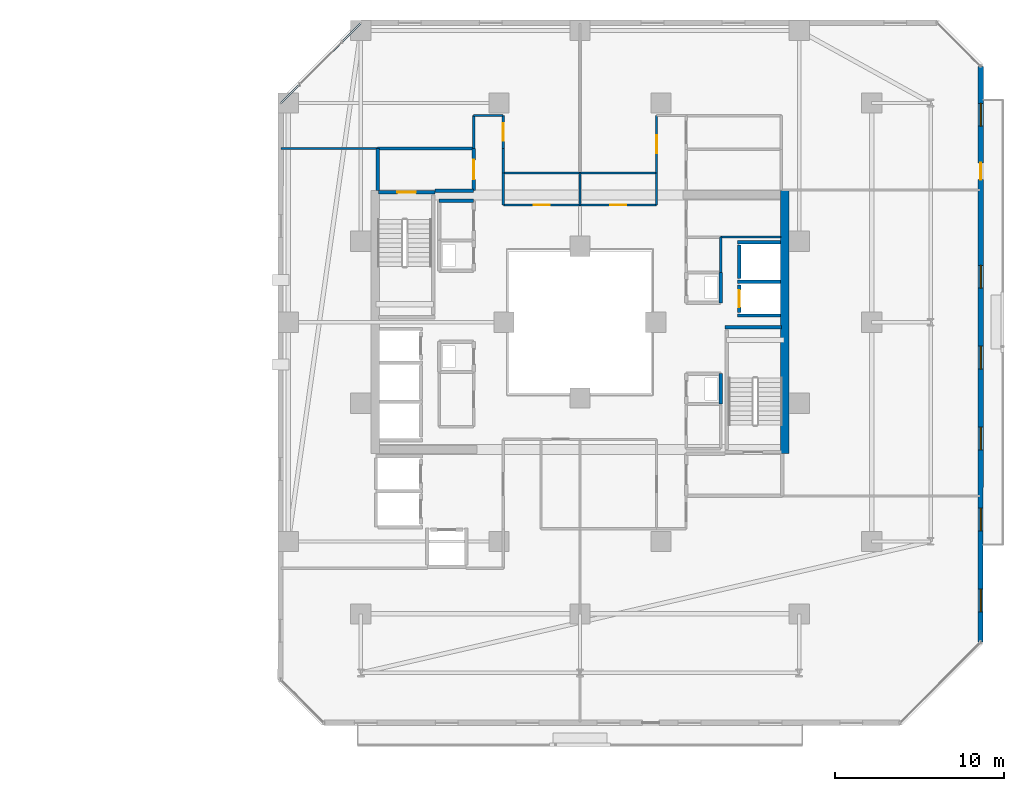
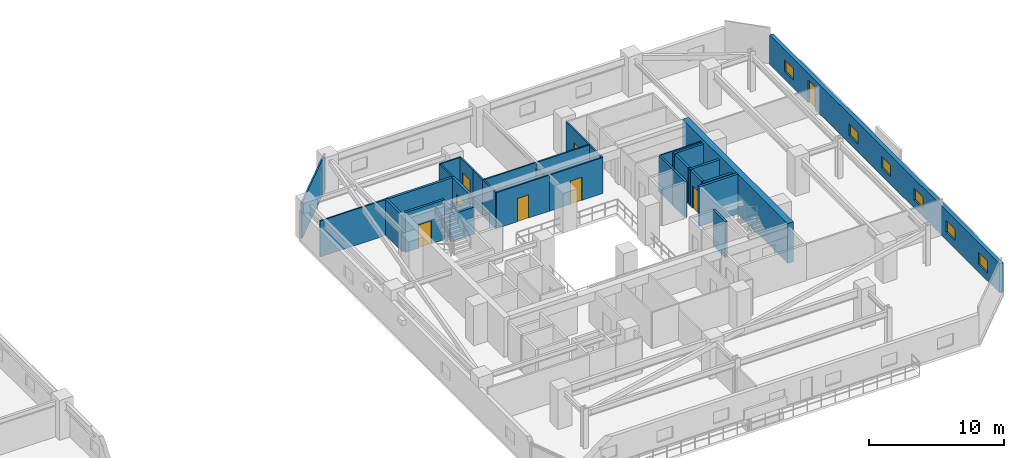
# One storey, part 24 of 34: 32 walls, 8 doors, 6 windows, 14 openings.
"""IFC4 building model written with IfcOpenShell, lengths in metres."""

import ifcopenshell
import ifcopenshell.guid

model = None  # the IFC model being written
_history = None  # IfcOwnerHistory: only IFC2X3 demands one
_inside = {}  # id of a spatial element -> (the spatial element, [elements in it])
_under = {}  # id of a project, library or spatial element -> (it, [spatial elements below it])
_declared = {}  # id of a project -> (the project, [libraries it declares])
_typed = {}  # id of a type object -> (the type object, [elements of that type])
_made_of = {}  # id of a material, layer set ... -> (it, [elements and type objects made of it])


def new_model(schema):
    """Start an empty IFC model of exactly this schema.

    Asked for "IFC4X3", IfcOpenShell would pick the latest addendum, in which some entities
    have other attributes; the version numbers below select the first issue.
    IFC2X3 requires an IfcOwnerHistory on every rooted entity: one is made here for all.
    """
    global model, _history
    if schema == "IFC4X3":
        model = ifcopenshell.file(schema_version=(4, 3, 0, 0))
    else:
        model = ifcopenshell.file(schema=schema)
    _inside.clear()
    _under.clear()
    _declared.clear()
    _typed.clear()
    _made_of.clear()
    _history = None
    if model.schema == "IFC2X3":
        org = make("IfcOrganization", Name="unknown")
        user = make(
            "IfcPersonAndOrganization",
            ThePerson=make("IfcPerson", FamilyName="unknown"),
            TheOrganization=org,
        )
        app = make(
            "IfcApplication",
            ApplicationDeveloper=org,
            Version="unknown",
            ApplicationFullName="unknown",
            ApplicationIdentifier="unknown",
        )
        _history = make(
            "IfcOwnerHistory",
            OwningUser=user,
            OwningApplication=app,
            ChangeAction="ADDED",
            CreationDate=0,
        )
    return model


def make(cls, **values):
    """One entity of the class cls with the attributes given. An attribute that is None is left unset."""
    return model.create_entity(
        cls, **{name: value for name, value in values.items() if value is not None}
    )


def rooted(cls, **values):
    """An entity with a GlobalId (a new one), such as an element, a storey or a relation."""
    return make(cls, GlobalId=ifcopenshell.guid.new(), OwnerHistory=_history, **values)


def si_unit(unit_type, name, prefix=None):
    """IfcSIUnit, for example si_unit("LENGTHUNIT", "METRE", prefix="MILLI")."""
    return make("IfcSIUnit", UnitType=unit_type, Prefix=prefix, Name=name)


def assignment(units):
    """IfcUnitAssignment: the units of a project."""
    return None if units is None else make("IfcUnitAssignment", Units=units)


def point(xyz):
    """IfcCartesianPoint."""
    return None if xyz is None else make("IfcCartesianPoint", Coordinates=xyz)


def direction(xyz):
    """IfcDirection."""
    return None if xyz is None else make("IfcDirection", DirectionRatios=xyz)


def frame(location, z_axis=None, x_axis=None):
    """IfcAxis2Placement3D, a coordinate frame: its origin and axes. An axis left out is left unset."""
    return make(
        "IfcAxis2Placement3D",
        Location=point(location),
        Axis=direction(z_axis),
        RefDirection=direction(x_axis),
    )


def frame_2d(location, x_axis=None):
    """IfcAxis2Placement2D, a coordinate frame in the plane: its origin and x axis."""
    return make(
        "IfcAxis2Placement2D", Location=point(location), RefDirection=direction(x_axis)
    )


def origin():
    """The frame at (0, 0, 0) with its axes left unset."""
    return frame((0.0, 0.0, 0.0))


def place(relative_to, where):
    """IfcLocalPlacement: puts the frame where relative to a parent placement (None: the world)."""
    return make(
        "IfcLocalPlacement", PlacementRelTo=relative_to, RelativePlacement=where
    )


def context(
    kind, dimensions, precision=None, world=None, true_north=None, identifier=None
):
    """IfcGeometricRepresentationContext, for example the 3D "Model" context."""
    return make(
        "IfcGeometricRepresentationContext",
        ContextIdentifier=identifier,
        ContextType=kind,
        CoordinateSpaceDimension=dimensions,
        Precision=precision,
        WorldCoordinateSystem=world,
        TrueNorth=true_north,
    )


def subcontext(parent, identifier, kind, view, scale=None):
    """IfcGeometricRepresentationSubContext, for example "Body" below "Model"."""
    return make(
        "IfcGeometricRepresentationSubContext",
        ContextIdentifier=identifier,
        ContextType=kind,
        ParentContext=parent,
        TargetScale=scale,
        TargetView=view,
    )


def project(units=None, contexts=None):
    """IfcProject with its units and contexts."""
    return rooted(
        "IfcProject",
        Name="project",
        RepresentationContexts=contexts,
        UnitsInContext=assignment(units),
    )


def spatial(cls, under=None, at=None, **own):
    """A site, building, storey or space (cls), placed at a placement, below another one or the project."""
    s = rooted(cls, ObjectPlacement=at, **own)
    if under is not None:
        _under.setdefault(under.id(), (under, []))[1].append(s)
    return s


def profile(cls, at=None, kind="AREA", **sizes):
    """A parametric profile (cls). Its sizes go by their IFC names, for example OverallWidth=200.0."""
    return make(cls, ProfileType=kind, Position=at, **sizes)


def rectangle(**sizes):
    """IfcRectangleProfileDef."""
    return profile("IfcRectangleProfileDef", **sizes)


def extrude(swept, where, along, depth):
    """IfcExtrudedAreaSolid: the profile swept, set in the frame where, extruded along a direction by depth."""
    return make(
        "IfcExtrudedAreaSolid",
        SweptArea=swept,
        Position=where,
        ExtrudedDirection=direction(along),
        Depth=depth,
    )


def shape(context_of_items, identifier, shape_type, items):
    """IfcShapeRepresentation: the items that make up one representation, for example the "Body"."""
    return make(
        "IfcShapeRepresentation",
        ContextOfItems=context_of_items,
        RepresentationIdentifier=identifier,
        RepresentationType=shape_type,
        Items=items,
    )


def material(Name=None, Category=None):
    """IfcMaterial."""
    return make("IfcMaterial", Name=Name, Category=Category)


def layer(
    of_material, thickness, ventilated=None, Name=None, Category=None, Priority=None
):
    """IfcMaterialLayer: one layer of a wall or slab, of a material (None: an air gap)."""
    return make(
        "IfcMaterialLayer",
        Material=of_material,
        LayerThickness=thickness,
        IsVentilated=ventilated,
        Name=Name,
        Category=Category,
        Priority=Priority,
    )


def layer_set(layers, Name=None):
    """IfcMaterialLayerSet."""
    return make("IfcMaterialLayerSet", MaterialLayers=layers, LayerSetName=Name)


def made_of(thing, what):
    """Note that an element or type object is made of a material, layer set ...; save() writes the relation."""
    if what is not None:
        _made_of.setdefault(what.id(), (what, []))[1].append(thing)
    return thing


def type_object(cls, material=None, **own):
    """A type object (cls), such as IfcWallType, which elements share."""
    return made_of(rooted(cls, **own), material)


def element(
    cls,
    number,
    at=None,
    inside=None,
    cuts=None,
    type_object=None,
    material=None,
    context=None,
    identifier="Body",
    shape_type=None,
    held_by="IfcProductDefinitionShape",
    body=None,
    shapes=None,
    **own,
):
    """One element of the class cls, such as IfcWall. Its Tag is "e" and its number.

    at: its placement. inside: the storey or other place that contains it. cuts: it is an
    opening in that element (IfcRelVoidsElement). A single representation is given by context,
    identifier, shape_type and body (its items); several are given by shapes. held_by: the class
    of the entity that holds the representations. save() writes the other relations.
    """
    e = rooted(cls, Tag="e%d" % number, ObjectPlacement=at, **own)
    if body is not None:
        shapes = [shape(context, identifier, shape_type, body)]
    if shapes is not None:
        e.Representation = make(held_by, Representations=shapes)
    if inside is not None:
        _inside.setdefault(inside.id(), (inside, []))[1].append(e)
    if cuts is not None:
        rooted(
            "IfcRelVoidsElement", RelatingBuildingElement=cuts, RelatedOpeningElement=e
        )
    if type_object is not None:
        _typed.setdefault(type_object.id(), (type_object, []))[1].append(e)
    return made_of(e, material)


def fill(opening, filler):
    """IfcRelFillsElement: the door or window that sits in an opening."""
    return rooted(
        "IfcRelFillsElement",
        RelatingOpeningElement=opening,
        RelatedBuildingElement=filler,
    )


def aggregate(whole, parts):
    """IfcRelAggregates: a whole, such as a stair, and the parts it consists of."""
    return rooted("IfcRelAggregates", RelatingObject=whole, RelatedObjects=parts)


def save(model, path):
    """Write the relations noted so far, then the file.

    IfcRelAggregates (storeys below a building ...), IfcRelContainedInSpatialStructure (elements
    in a storey), IfcRelDefinesByType, IfcRelAssociatesMaterial and IfcRelDeclares: one each for
    every whole, place, type object, material and project.
    """
    for whole, parts in _under.values():
        aggregate(whole, parts)
    for where, things in _inside.values():
        rooted(
            "IfcRelContainedInSpatialStructure",
            RelatedElements=things,
            RelatingStructure=where,
        )
    for kind, things in _typed.values():
        rooted("IfcRelDefinesByType", RelatedObjects=things, RelatingType=kind)
    for what, things in _made_of.values():
        rooted("IfcRelAssociatesMaterial", RelatedObjects=things, RelatingMaterial=what)
    for by, libraries in _declared.values():
        rooted("IfcRelDeclares", RelatingContext=by, RelatedDefinitions=libraries)
    model.write(path)


model = new_model("IFC4")

# Units and contexts
model_context = context("Model", 3, precision=1e-05, world=origin(), true_north=direction((0.0, 1.0)))
body_context = subcontext(model_context, "Body", "Model", "MODEL_VIEW")
ifc_project = project(units=[si_unit("LENGTHUNIT", "METRE"), si_unit("AREAUNIT", "SQUARE_METRE"), si_unit("VOLUMEUNIT", "CUBIC_METRE"), si_unit("PLANEANGLEUNIT", "RADIAN"), si_unit("MASSUNIT", "GRAM", prefix="KILO")], contexts=[model_context])

# Site, building, storey
site_placement = place(None, origin())
site = spatial("IfcSite", under=ifc_project, at=site_placement, CompositionType="ELEMENT")
building_placement = place(site_placement, origin())
building = spatial("IfcBuilding", under=site, at=building_placement, Name="Thornwick Lancets Civic Towers", CompositionType="ELEMENT")
storey_placement = place(building_placement, frame((0.0, 0.0, 137.699951171875)))
storey = spatial("IfcBuildingStorey", under=building, at=storey_placement, Name="L36", CompositionType="ELEMENT", Elevation=137.699951171875)

# Wall, opening, door
ifc_material_1 = material(Name="Concrete blockwork C40/50", Category="masonry")
ifc_layer_1 = layer(ifc_material_1, 0.199951171875, Name="Concrete blockwork C40/50")
ifc_layer_set_1 = layer_set([ifc_layer_1], Name="Concrete blockwork C40/50")
wall_type_1 = type_object("IfcWallType", Name="WALL_COMP_200", PredefinedType="STANDARD", material=ifc_layer_set_1)
wall_1_placement = place(storey_placement, frame((97.949951171875, 29.219970703125, 0.0), z_axis=(0.0, 0.0, 1.0), x_axis=(0.0, -1.0, 0.0)))
wall_1 = element("IfcWall", 1, at=wall_1_placement, inside=storey, type_object=wall_type_1, Name="L36 Hoistway Front Wall FL-B1", PredefinedType="STANDARD", context=body_context, shape_type="SweptSolid", body=[
    extrude(rectangle(XDim=1.639892578125, YDim=0.199951171875, at=frame_2d((0.81982421875, 0.0))), origin(), (0.0, 0.0, 1.0), 3.260009765625),
])
opening_1_placement = place(wall_1_placement, frame((0.31005859375, 0.0, 0.0)))
opening_1 = element("IfcOpeningElement", 2, at=opening_1_placement, cuts=wall_1, Name="Opening LD-FL-B1", PredefinedType="OPENING", context=body_context, shape_type="SweptSolid", body=[
    extrude(rectangle(XDim=1.02001953125, YDim=2.06005859375, at=frame_2d((0.510009765625, 1.030029296875))), frame((0.0, 0.10986328125, 0.0), z_axis=(0.0, -1.0, 0.0), x_axis=(1.0, 0.0, 0.0)), (0.0, 0.0, 1.0), 0.219970703125),
])
ifc_material_2 = material(Name="Brushed bronze stainless steel", Category="steel")
door_type_1 = type_object("IfcDoorType", Name="DOOR_LIFT_SLIDE", OperationType="SLIDING_TO_LEFT", PredefinedType="DOOR", material=ifc_material_2)
door_1_placement = place(opening_1_placement, origin())
door_1 = element("IfcDoor", 3, at=door_1_placement, inside=storey, type_object=door_type_1, Name="L36 Sliding Lift Landing Door LD-FL-B1", OperationType="SLIDING_TO_LEFT", OverallHeight=2.06005859375, OverallWidth=1.02001953125, PredefinedType="DOOR", context=body_context, shape_type="SweptSolid", body=[
    extrude(rectangle(XDim=1.02001953125, YDim=2.06005859375, at=frame_2d((0.510009765625, 1.030029296875))), frame((0.0, 0.02490234375, 0.0), z_axis=(0.0, -1.0, 0.0), x_axis=(1.0, 0.0, 0.0)), (0.0, 0.0, 1.0), 0.050048828125),
])
fill(opening_1, door_1)

# Walls
wall_2_placement = place(storey_placement, frame((97.949951171875, 31.570068359375, 0.0), z_axis=(0.0, 0.0, 1.0), x_axis=(0.0, -1.0, 0.0)))
element("IfcWall", 4, at=wall_2_placement, inside=storey, type_object=wall_type_1, Name="L36 Hoistway Front Wall PL-BH1", PredefinedType="STANDARD", context=body_context, shape_type="SweptSolid", body=[
    extrude(rectangle(XDim=1.989990234375, YDim=0.199951171875, at=frame_2d((0.9951171875, 0.0))), origin(), (0.0, 0.0, 1.0), 3.260009765625),
])
for number, where, z_axis, x_axis, name in (
    (5, (97.85205078125, 29.39990234375, 0.0), (0.0, 0.0, 1.0), (1.0, 0.0, 0.0), "L36 Hoistway Shaft Wall FL-B1 N"),
    (6, (97.85205078125, 27.39990234375, 0.0), (0.0, 0.0, 1.0), (1.0, 0.0, 0.0), "L36 Hoistway Shaft Wall FL-B1 S"),
    (7, (97.85205078125, 31.75, 0.0), (0.0, 0.0, 1.0), (1.0, 0.0, 0.0), "L36 Hoistway Shaft Wall PL-BH1 N"),
):
    element("IfcWall", number, at=place(storey_placement, frame(where, z_axis=z_axis, x_axis=x_axis)), inside=storey, type_object=wall_type_1, Name=name, PredefinedType="STANDARD", context=body_context, shape_type="SweptSolid", body=[
        extrude(rectangle(XDim=2.535888671875, YDim=0.199951171875, at=frame_2d((1.26806640625, 0.0))), origin(), (0.0, 0.0, 1.0), 3.260009765625),
    ])
wall_3_placement = place(storey_placement, frame((79.89990234375, 34.800048828125, 0.0), z_axis=(0.0, 0.0, 1.0), x_axis=(1.0, 0.0, 0.0)))
element("IfcWall", 8, at=wall_3_placement, inside=storey, type_object=wall_type_1, Name="L36 Partition L36-B-FFLOB2 E1", PredefinedType="STANDARD", context=body_context, shape_type="SweptSolid", body=[
    extrude(rectangle(XDim=2.300048828125, YDim=0.199951171875, at=frame_2d((1.14990234375, 0.0))), origin(), (0.0, 0.0, 1.0), 2.465087890625),
])

# Wall, opening, door
wall_4_placement = place(storey_placement, frame((82.199951171875, 34.800048828125, 0.0), z_axis=(0.0, 0.0, 1.0), x_axis=(0.0, 1.0, 0.0)))
wall_4 = element("IfcWall", 9, at=wall_4_placement, inside=storey, type_object=wall_type_1, Name="L36 Partition L36-B-FFLOB2 E2", PredefinedType="STANDARD", context=body_context, shape_type="SweptSolid", body=[
    extrude(rectangle(XDim=2.5, YDim=0.199951171875, at=frame_2d((1.25, 0.0))), origin(), (0.0, 0.0, 1.0), 3.260009765625),
])
opening_2_placement = place(wall_4_placement, frame((0.675048828125, 0.0, 0.0)))
opening_2 = element("IfcOpeningElement", 10, at=opening_2_placement, cuts=wall_4, Name="Opening D-L36-1633", PredefinedType="OPENING", context=body_context, shape_type="SweptSolid", body=[
    extrude(rectangle(XDim=1.14990234375, YDim=2.10009765625, at=frame_2d((0.574951171875, 1.050048828125))), frame((0.0, 0.10986328125, 0.0), z_axis=(0.0, -1.0, 0.0), x_axis=(1.0, 0.0, 0.0)), (0.0, 0.0, 1.0), 0.219970703125),
])
ifc_material_3 = material(Name="Glazed fire-resisting steel", Category="steel")
door_type_2 = type_object("IfcDoorType", Name="DOOR_LOBBY_FD60", OperationType="NOTDEFINED", PredefinedType="DOOR", material=ifc_material_3)
door_2_placement = place(opening_2_placement, origin())
door_2 = element("IfcDoor", 11, at=door_2_placement, inside=storey, type_object=door_type_2, Name="L36 West Firefighting Lobby 2 Door", OperationType="SINGLE_SWING_RIGHT", OverallHeight=2.10009765625, OverallWidth=1.14990234375, PredefinedType="DOOR", context=body_context, shape_type="SweptSolid", body=[
    extrude(rectangle(XDim=1.14990234375, YDim=2.10009765625, at=frame_2d((0.574951171875, 1.050048828125))), frame((0.0, 0.02490234375, 0.0), z_axis=(0.0, -1.0, 0.0), x_axis=(1.0, 0.0, 0.0)), (0.0, 0.0, 1.0), 0.050048828125),
])
fill(opening_2, door_2)

# Walls
wall_5_placement = place(storey_placement, frame((82.199951171875, 37.300048828125, 0.0), z_axis=(0.0, 0.0, 1.0), x_axis=(-1.0, 0.0, 0.0)))
element("IfcWall", 12, at=wall_5_placement, inside=storey, type_object=wall_type_1, Name="L36 Partition L36-B-FFLOB2 E3", PredefinedType="STANDARD", context=body_context, shape_type="SweptSolid", body=[
    extrude(rectangle(XDim=5.699951171875, YDim=0.199951171875, at=frame_2d((2.85009765625, 0.0))), origin(), (0.0, 0.0, 1.0), 3.260009765625),
])
wall_6_placement = place(storey_placement, frame((76.5, 37.300048828125, 0.0), z_axis=(0.0, 0.0, 1.0), x_axis=(0.0, -1.0, 0.0)))
element("IfcWall", 13, at=wall_6_placement, inside=storey, type_object=wall_type_1, Name="L36 Partition L36-B-FFLOB2 E4", PredefinedType="STANDARD", context=body_context, shape_type="SweptSolid", body=[
    extrude(rectangle(XDim=2.5, YDim=0.199951171875, at=frame_2d((1.25, 0.0))), origin(), (0.0, 0.0, 1.0), 3.260009765625),
])
for number, where, z_axis, x_axis, name in (
    (14, (96.85009765625, 28.14990234375, 0.0), (0.0, 0.0, 1.0), (0.0, 1.0, 0.0), "L36 Partition L36-B-DUCT1 E2"),
    (15, (96.85009765625, 22.14990234375, 0.0), (0.0, 0.0, 1.0), (0.0, 1.0, 0.0), "L36 Partition L36-B-RISER1 E2"),
):
    element("IfcWall", number, at=place(storey_placement, frame(where, z_axis=z_axis, x_axis=x_axis)), inside=storey, type_object=wall_type_1, Name=name, PredefinedType="STANDARD", context=body_context, shape_type="SweptSolid", body=[
        extrude(rectangle(XDim=1.800048828125, YDim=0.199951171875, at=frame_2d((0.89990234375, 0.0))), origin(), (0.0, 0.0, 1.0), 3.260009765625),
    ])
wall_7_placement = place(storey_placement, frame((80.14990234375, 34.199951171875, 0.0), z_axis=(0.0, 0.0, 1.0), x_axis=(1.0, 0.0, 0.0)))
element("IfcWall", 16, at=wall_7_placement, inside=storey, type_object=wall_type_1, Name="L36 Partition L36-B-STR E2", PredefinedType="STANDARD", context=body_context, shape_type="SweptSolid", body=[
    extrude(rectangle(XDim=2.050048828125, YDim=0.199951171875, at=frame_2d((1.02490234375, 0.0))), origin(), (0.0, 0.0, 1.0), 2.465087890625),
])
ifc_material_4 = material(Name="Concrete C50/60", Category="concrete")
ifc_layer_2 = layer(ifc_material_4, 0.5, Name="Concrete C50/60")
ifc_layer_set_2 = layer_set([ifc_layer_2], Name="Concrete C50/60")
wall_type_2 = type_object("IfcWallType", Name="WALL_CORE_500", PredefinedType="SHEAR", material=ifc_layer_set_2)
wall_8_placement = place(storey_placement, frame((100.64990234375, 19.199951171875, 0.0), z_axis=(0.0, 0.0, 1.0), x_axis=(0.0, 1.0, 0.0)))
element("IfcWall", 17, at=wall_8_placement, inside=storey, type_object=wall_type_2, Name="L36 Split Core B1 Shear Wall E", PredefinedType="SHEAR", context=body_context, shape_type="SweptSolid", body=[
    extrude(rectangle(XDim=15.60009765625, YDim=0.5, at=frame_2d((7.800048828125, 0.0))), origin(), (0.0, 0.0, 1.0), 3.60009765625),
])

# Wall, openings, door, windows
ifc_material_5 = material(Name="Insulated buff terracotta rainscreen on concrete C40/50", Category="masonry")
ifc_layer_3 = layer(ifc_material_5, 0.320068359375, Name="Insulated buff terracotta rainscreen on concrete C40/50")
ifc_layer_set_3 = layer_set([ifc_layer_3], Name="Insulated buff terracotta rainscreen on concrete C40/50")
wall_type_3 = type_object("IfcWallType", Name="WALL_EXT_TERRA_320", PredefinedType="STANDARD", material=ifc_layer_set_3)
wall_9_placement = place(storey_placement, frame((112.25732421875, 8.02490234375, 0.0), z_axis=(0.0, 0.0, 1.0), x_axis=(0.000214431216, 0.99999997701, 0.0)))
wall_9 = element("IfcWall", 18, at=wall_9_placement, inside=storey, type_object=wall_type_3, Name="L36 Tower B Terracotta Facade Wall E2", PredefinedType="STANDARD", context=body_context, shape_type="SweptSolid", body=[
    extrude(rectangle(XDim=34.156494140625, YDim=0.320068359375, at=frame_2d((17.078125, 0.0))), origin(), (0.0, 0.0, 1.0), 2.66015625),
])
opening_3_placement = place(wall_9_placement, frame((27.42822265625, 0.0, 0.0)))
opening_3 = element("IfcOpeningElement", 19, at=opening_3_placement, cuts=wall_9, Name="Opening D-BL-L36-BE", PredefinedType="OPENING", context=body_context, shape_type="SweptSolid", body=[
    extrude(rectangle(XDim=1.0, YDim=2.080078125, at=frame_2d((0.5, 1.0400390625))), frame((0.0, 0.169921875, 0.0), z_axis=(0.0, -1.0, 0.0), x_axis=(1.0, 0.0, 0.0)), (0.0, 0.0, 1.0), 0.340087890625),
])
opening_4_placement = place(wall_9_placement, frame((1.800048828125, 0.0, 0.719970703125)))
opening_4 = element("IfcOpeningElement", 20, at=opening_4_placement, cuts=wall_9, Name="Opening WL-03", PredefinedType="OPENING", context=body_context, shape_type="SweptSolid", body=[
    extrude(rectangle(XDim=1.35009765625, YDim=1.050048828125, at=frame_2d((0.675048828125, 0.52490234375))), frame((0.0, 0.169921875, 0.0), z_axis=(0.0, -1.0, 0.0), x_axis=(1.0, 0.0, 0.0)), (0.0, 0.0, 1.0), 0.340087890625),
])
opening_5_placement = place(wall_9_placement, frame((6.60009765625, 0.0, 0.719970703125)))
opening_5 = element("IfcOpeningElement", 21, at=opening_5_placement, cuts=wall_9, Name="Opening WL-03", PredefinedType="OPENING", context=body_context, shape_type="SweptSolid", body=[
    extrude(rectangle(XDim=1.35009765625, YDim=1.050048828125, at=frame_2d((0.675048828125, 0.52490234375))), frame((0.0, 0.169921875, 0.0), z_axis=(0.0, -1.0, 0.0), x_axis=(1.0, 0.0, 0.0)), (0.0, 0.0, 1.0), 0.340087890625),
])
opening_6_placement = place(wall_9_placement, frame((11.39990234375, 0.0, 0.719970703125)))
opening_6 = element("IfcOpeningElement", 22, at=opening_6_placement, cuts=wall_9, Name="Opening WL-03", PredefinedType="OPENING", context=body_context, shape_type="SweptSolid", body=[
    extrude(rectangle(XDim=1.35009765625, YDim=1.050048828125, at=frame_2d((0.675048828125, 0.52490234375))), frame((0.0, 0.169921875, 0.0), z_axis=(0.0, -1.0, 0.0), x_axis=(1.0, 0.0, 0.0)), (0.0, 0.0, 1.0), 0.340087890625),
])
opening_7_placement = place(wall_9_placement, frame((16.199951171875, 0.0, 0.719970703125)))
opening_7 = element("IfcOpeningElement", 23, at=opening_7_placement, cuts=wall_9, Name="Opening WL-03", PredefinedType="OPENING", context=body_context, shape_type="SweptSolid", body=[
    extrude(rectangle(XDim=1.35009765625, YDim=1.050048828125, at=frame_2d((0.675048828125, 0.52490234375))), frame((0.0, 0.169921875, 0.0), z_axis=(0.0, -1.0, 0.0), x_axis=(1.0, 0.0, 0.0)), (0.0, 0.0, 1.0), 0.340087890625),
])
opening_8_placement = place(wall_9_placement, frame((21.0, 0.0, 0.719970703125)))
opening_8 = element("IfcOpeningElement", 24, at=opening_8_placement, cuts=wall_9, Name="Opening WL-03", PredefinedType="OPENING", context=body_context, shape_type="SweptSolid", body=[
    extrude(rectangle(XDim=1.35009765625, YDim=1.050048828125, at=frame_2d((0.675048828125, 0.52490234375))), frame((0.0, 0.169921875, 0.0), z_axis=(0.0, -1.0, 0.0), x_axis=(1.0, 0.0, 0.0)), (0.0, 0.0, 1.0), 0.340087890625),
])
opening_9_placement = place(wall_9_placement, frame((30.60009765625, 0.0, 0.719970703125)))
opening_9 = element("IfcOpeningElement", 25, at=opening_9_placement, cuts=wall_9, Name="Opening WL-03", PredefinedType="OPENING", context=body_context, shape_type="SweptSolid", body=[
    extrude(rectangle(XDim=1.35009765625, YDim=1.050048828125, at=frame_2d((0.675048828125, 0.52490234375))), frame((0.0, 0.169921875, 0.0), z_axis=(0.0, -1.0, 0.0), x_axis=(1.0, 0.0, 0.0)), (0.0, 0.0, 1.0), 0.340087890625),
])
ifc_material_6 = material(Name="Thermally broken glazed loggia doorset")
door_type_3 = type_object("IfcDoorType", Name="DOOR_BALC_1000", OperationType="NOTDEFINED", PredefinedType="DOOR", material=ifc_material_6)
door_3_placement = place(opening_3_placement, origin())
door_3 = element("IfcDoor", 26, at=door_3_placement, inside=storey, type_object=door_type_3, Name="L36 Tower B Loggia Balcony Door E", OperationType="SINGLE_SWING_LEFT", OverallHeight=2.080078125, OverallWidth=1.0, PredefinedType="DOOR", context=body_context, shape_type="SweptSolid", body=[
    extrude(rectangle(XDim=1.0, YDim=2.080078125, at=frame_2d((0.5, 1.0400390625))), frame((0.0, 0.02490234375, 0.0), z_axis=(0.0, -1.0, 0.0), x_axis=(1.0, 0.0, 0.0)), (0.0, 0.0, 1.0), 0.050048828125),
])
fill(opening_3, door_3)
ifc_material_7 = material(Name="Clear low-e double glazing clerestory lancet", Category="glass")
window_type = type_object("IfcWindowType", Name="WIN_LANCET_1350", PartitioningType="SINGLE_PANEL", PredefinedType="WINDOW", material=ifc_material_7)
window_1_placement = place(opening_4_placement, origin())
window_1 = element("IfcWindow", 27, at=window_1_placement, inside=storey, type_object=window_type, Name="L36 Tower B Staggered Lancet Window E2-1", OverallHeight=1.050048828125, OverallWidth=1.35009765625, PartitioningType="SINGLE_PANEL", PredefinedType="WINDOW", context=body_context, shape_type="SweptSolid", body=[
    extrude(rectangle(XDim=1.35009765625, YDim=1.050048828125, at=frame_2d((0.675048828125, 0.52490234375))), frame((0.0, 0.030029296875, 0.0), z_axis=(0.0, -1.0, 0.0), x_axis=(1.0, 0.0, 0.0)), (0.0, 0.0, 1.0), 0.06005859375),
])
fill(opening_4, window_1)
window_2_placement = place(opening_5_placement, origin())
window_2 = element("IfcWindow", 28, at=window_2_placement, inside=storey, type_object=window_type, Name="L36 Tower B Staggered Lancet Window E2-2", OverallHeight=1.050048828125, OverallWidth=1.35009765625, PartitioningType="SINGLE_PANEL", PredefinedType="WINDOW", context=body_context, shape_type="SweptSolid", body=[
    extrude(rectangle(XDim=1.35009765625, YDim=1.050048828125, at=frame_2d((0.675048828125, 0.52490234375))), frame((0.0, 0.030029296875, 0.0), z_axis=(0.0, -1.0, 0.0), x_axis=(1.0, 0.0, 0.0)), (0.0, 0.0, 1.0), 0.06005859375),
])
fill(opening_5, window_2)
window_3_placement = place(opening_6_placement, origin())
window_3 = element("IfcWindow", 29, at=window_3_placement, inside=storey, type_object=window_type, Name="L36 Tower B Staggered Lancet Window E2-3", OverallHeight=1.050048828125, OverallWidth=1.35009765625, PartitioningType="SINGLE_PANEL", PredefinedType="WINDOW", context=body_context, shape_type="SweptSolid", body=[
    extrude(rectangle(XDim=1.35009765625, YDim=1.050048828125, at=frame_2d((0.675048828125, 0.52490234375))), frame((0.0, 0.030029296875, 0.0), z_axis=(0.0, -1.0, 0.0), x_axis=(1.0, 0.0, 0.0)), (0.0, 0.0, 1.0), 0.06005859375),
])
fill(opening_6, window_3)
window_4_placement = place(opening_7_placement, origin())
window_4 = element("IfcWindow", 30, at=window_4_placement, inside=storey, type_object=window_type, Name="L36 Tower B Staggered Lancet Window E2-4", OverallHeight=1.050048828125, OverallWidth=1.35009765625, PartitioningType="SINGLE_PANEL", PredefinedType="WINDOW", context=body_context, shape_type="SweptSolid", body=[
    extrude(rectangle(XDim=1.35009765625, YDim=1.050048828125, at=frame_2d((0.675048828125, 0.52490234375))), frame((0.0, 0.030029296875, 0.0), z_axis=(0.0, -1.0, 0.0), x_axis=(1.0, 0.0, 0.0)), (0.0, 0.0, 1.0), 0.06005859375),
])
fill(opening_7, window_4)
window_5_placement = place(opening_8_placement, origin())
window_5 = element("IfcWindow", 31, at=window_5_placement, inside=storey, type_object=window_type, Name="L36 Tower B Staggered Lancet Window E2-5", OverallHeight=1.050048828125, OverallWidth=1.35009765625, PartitioningType="SINGLE_PANEL", PredefinedType="WINDOW", context=body_context, shape_type="SweptSolid", body=[
    extrude(rectangle(XDim=1.35009765625, YDim=1.050048828125, at=frame_2d((0.675048828125, 0.52490234375))), frame((0.0, 0.030029296875, 0.0), z_axis=(0.0, -1.0, 0.0), x_axis=(1.0, 0.0, 0.0)), (0.0, 0.0, 1.0), 0.06005859375),
])
fill(opening_8, window_5)
window_6_placement = place(opening_9_placement, origin())
window_6 = element("IfcWindow", 32, at=window_6_placement, inside=storey, type_object=window_type, Name="L36 Tower B Staggered Lancet Window E2-6", OverallHeight=1.050048828125, OverallWidth=1.35009765625, PartitioningType="SINGLE_PANEL", PredefinedType="WINDOW", context=body_context, shape_type="SweptSolid", body=[
    extrude(rectangle(XDim=1.35009765625, YDim=1.050048828125, at=frame_2d((0.675048828125, 0.52490234375))), frame((0.0, 0.030029296875, 0.0), z_axis=(0.0, -1.0, 0.0), x_axis=(1.0, 0.0, 0.0)), (0.0, 0.0, 1.0), 0.06005859375),
])
fill(opening_9, window_6)

# Walls
ifc_material_8 = material(Name="Lightweight cellular office partition")
ifc_layer_4 = layer(ifc_material_8, 0.10009765625, Name="Lightweight cellular office partition")
ifc_layer_set_4 = layer_set([ifc_layer_4], Name="Lightweight cellular office partition")
wall_type_4 = type_object("IfcWallType", Name="WALL_PART_100", PredefinedType="PARTITIONING", material=ifc_layer_set_4)
wall_10_placement = place(storey_placement, frame((100.39990234375, 32.050048828125, 0.0), z_axis=(0.0, 0.0, 1.0), x_axis=(-1.0, 0.0, 0.0)))
element("IfcWall", 33, at=wall_10_placement, inside=storey, type_object=wall_type_4, Name="L36 Partition L36-B-CLN E4", PredefinedType="PARTITIONING", context=body_context, shape_type="SweptSolid", body=[
    extrude(rectangle(XDim=3.5498046875, YDim=0.10009765625, at=frame_2d((1.77490234375, 0.0))), origin(), (0.0, 0.0, 1.0), 3.260009765625),
])
ifc_material_9 = material(Name="Acoustic gypsum board partition")
ifc_layer_5 = layer(ifc_material_9, 0.1201171875, Name="Acoustic gypsum board partition")
ifc_layer_set_5 = layer_set([ifc_layer_5], Name="Acoustic gypsum board partition")
wall_type_5 = type_object("IfcWallType", Name="WALL_PART_120", PredefinedType="PARTITIONING", material=ifc_layer_set_5)
wall_11_placement = place(storey_placement, frame((88.5, 33.949951171875, 0.0), z_axis=(0.0, 0.0, 1.0), x_axis=(0.0, 1.0, 0.0)))
element("IfcWall", 34, at=wall_11_placement, inside=storey, type_object=wall_type_5, Name="L36 Partition L36-B-E1 E1", PredefinedType="PARTITIONING", context=body_context, shape_type="SweptSolid", body=[
    extrude(rectangle(XDim=1.900146484375, YDim=0.1201171875, at=frame_2d((0.9501953125, 0.0))), origin(), (0.0, 0.0, 1.0), 2.8017578125),
])
wall_12_placement = place(storey_placement, frame((88.5, 35.85009765625, 0.0), z_axis=(0.0, 0.0, 1.0), x_axis=(1.0, 0.0, 0.0)))
element("IfcWall", 35, at=wall_12_placement, inside=storey, type_object=wall_type_5, Name="L36 Partition L36-B-E1 E2", PredefinedType="PARTITIONING", context=body_context, shape_type="SweptSolid", body=[
    extrude(rectangle(XDim=4.550048828125, YDim=0.1201171875, at=frame_2d((2.27490234375, 0.0))), origin(), (0.0, 0.0, 1.0), 3.260009765625),
])
wall_13_placement = place(storey_placement, frame((93.050048828125, 35.85009765625, 0.0), z_axis=(0.0, 0.0, 1.0), x_axis=(0.0, -1.0, 0.0)))
element("IfcWall", 36, at=wall_13_placement, inside=storey, type_object=wall_type_5, Name="L36 Partition L36-B-E1 E3", PredefinedType="PARTITIONING", context=body_context, shape_type="SweptSolid", body=[
    extrude(rectangle(XDim=1.900146484375, YDim=0.1201171875, at=frame_2d((0.9501953125, 0.0))), origin(), (0.0, 0.0, 1.0), 3.260009765625),
])

# Wall, opening, door
wall_14_placement = place(storey_placement, frame((93.050048828125, 33.949951171875, 0.0), z_axis=(0.0, 0.0, 1.0), x_axis=(-1.0, 0.0, 0.0)))
wall_14 = element("IfcWall", 37, at=wall_14_placement, inside=storey, type_object=wall_type_5, Name="L36 Partition L36-B-E1 E4", PredefinedType="PARTITIONING", context=body_context, shape_type="SweptSolid", body=[
    extrude(rectangle(XDim=4.550048828125, YDim=0.1201171875, at=frame_2d((2.27490234375, 0.0))), origin(), (0.0, 0.0, 1.0), 3.260009765625),
])
opening_10_placement = place(wall_14_placement, frame((1.800048828125, 0.0, 0.0)))
opening_10 = element("IfcOpeningElement", 38, at=opening_10_placement, cuts=wall_14, Name="Opening D-L36-1659", PredefinedType="OPENING", context=body_context, shape_type="SweptSolid", body=[
    extrude(rectangle(XDim=0.949951171875, YDim=2.10009765625, at=frame_2d((0.47509765625, 1.050048828125))), frame((0.0, 0.070068359375, 0.0), z_axis=(0.0, -1.0, 0.0), x_axis=(1.0, 0.0, 0.0)), (0.0, 0.0, 1.0), 0.14013671875),
])
ifc_material_10 = material(Name="European oak acoustic doorset")
door_type_4 = type_object("IfcDoorType", Name="DOOR_OFFICE_950", OperationType="NOTDEFINED", PredefinedType="DOOR", material=ifc_material_10)
door_4_placement = place(opening_10_placement, origin())
door_4 = element("IfcDoor", 39, at=door_4_placement, inside=storey, type_object=door_type_4, Name="L36 Tower B Visitors Reception and Waiting Door", OperationType="SINGLE_SWING_RIGHT", OverallHeight=2.10009765625, OverallWidth=0.949951171875, PredefinedType="DOOR", context=body_context, shape_type="SweptSolid", body=[
    extrude(rectangle(XDim=0.949951171875, YDim=2.10009765625, at=frame_2d((0.47509765625, 1.050048828125))), frame((0.0, 0.02490234375, 0.0), z_axis=(0.0, -1.0, 0.0), x_axis=(1.0, 0.0, 0.0)), (0.0, 0.0, 1.0), 0.050048828125),
])
fill(opening_10, door_4)

wall_15_placement = place(storey_placement, frame((93.050048828125, 39.25, 0.0), z_axis=(0.0, 0.0, 1.0), x_axis=(0.0, -1.0, 0.0)))
wall_15 = element("IfcWall", 40, at=wall_15_placement, inside=storey, type_object=wall_type_5, Name="L36 Partition L36-B-E2 E5", PredefinedType="PARTITIONING", context=body_context, shape_type="SweptSolid", body=[
    extrude(rectangle(XDim=3.39990234375, YDim=0.1201171875, at=frame_2d((1.699951171875, 0.0))), origin(), (0.0, 0.0, 1.0), 3.260009765625),
])
opening_11_placement = place(wall_15_placement, frame((1.175048828125, 0.0, 0.0)))
opening_11 = element("IfcOpeningElement", 41, at=opening_11_placement, cuts=wall_15, Name="Opening D-L36-1660", PredefinedType="OPENING", context=body_context, shape_type="SweptSolid", body=[
    extrude(rectangle(XDim=1.050048828125, YDim=2.10009765625, at=frame_2d((0.52490234375, 1.050048828125))), frame((0.0, 0.070068359375, 0.0), z_axis=(0.0, -1.0, 0.0), x_axis=(1.0, 0.0, 0.0)), (0.0, 0.0, 1.0), 0.14013671875),
])
ifc_material_11 = material(Name="Glazed European oak executive doorset")
door_type_5 = type_object("IfcDoorType", Name="DOOR_OFFICE_1050", OperationType="NOTDEFINED", PredefinedType="DOOR", material=ifc_material_11)
door_5_placement = place(opening_11_placement, origin())
door_5 = element("IfcDoor", 42, at=door_5_placement, inside=storey, type_object=door_type_5, Name="L36 Tower B Secretariat Open Office E1 Door", OperationType="SINGLE_SWING_LEFT", OverallHeight=2.10009765625, OverallWidth=1.050048828125, PredefinedType="DOOR", context=body_context, shape_type="SweptSolid", body=[
    extrude(rectangle(XDim=1.050048828125, YDim=2.10009765625, at=frame_2d((0.52490234375, 1.050048828125))), frame((0.0, 0.02490234375, 0.0), z_axis=(0.0, -1.0, 0.0), x_axis=(1.0, 0.0, 0.0)), (0.0, 0.0, 1.0), 0.050048828125),
])
fill(opening_11, door_5)

# Walls
wall_16_placement = place(storey_placement, frame((83.949951171875, 33.949951171875, 0.0), z_axis=(0.0, 0.0, 1.0), x_axis=(0.0, 1.0, 0.0)))
element("IfcWall", 43, at=wall_16_placement, inside=storey, type_object=wall_type_5, Name="L36 Partition L36-B-E3 E1", PredefinedType="PARTITIONING", context=body_context, shape_type="SweptSolid", body=[
    extrude(rectangle(XDim=1.900146484375, YDim=0.1201171875, at=frame_2d((0.9501953125, 0.0))), origin(), (0.0, 0.0, 1.0), 3.260009765625),
])
wall_17_placement = place(storey_placement, frame((83.949951171875, 35.85009765625, 0.0), z_axis=(0.0, 0.0, 1.0), x_axis=(1.0, 0.0, 0.0)))
element("IfcWall", 44, at=wall_17_placement, inside=storey, type_object=wall_type_5, Name="L36 Partition L36-B-E3 E2", PredefinedType="PARTITIONING", context=body_context, shape_type="SweptSolid", body=[
    extrude(rectangle(XDim=4.550048828125, YDim=0.1201171875, at=frame_2d((2.27490234375, 0.0))), origin(), (0.0, 0.0, 1.0), 3.260009765625),
])

# Wall, opening, door
wall_18_placement = place(storey_placement, frame((88.5, 33.949951171875, 0.0), z_axis=(0.0, 0.0, 1.0), x_axis=(-1.0, 0.0, 0.0)))
wall_18 = element("IfcWall", 45, at=wall_18_placement, inside=storey, type_object=wall_type_5, Name="L36 Partition L36-B-E3 E4", PredefinedType="PARTITIONING", context=body_context, shape_type="SweptSolid", body=[
    extrude(rectangle(XDim=4.550048828125, YDim=0.1201171875, at=frame_2d((2.27490234375, 0.0))), origin(), (0.0, 0.0, 1.0), 3.260009765625),
])
opening_12_placement = place(wall_18_placement, frame((1.800048828125, 0.0, 0.0)))
opening_12 = element("IfcOpeningElement", 46, at=opening_12_placement, cuts=wall_18, Name="Opening D-L36-1661", PredefinedType="OPENING", context=body_context, shape_type="SweptSolid", body=[
    extrude(rectangle(XDim=0.949951171875, YDim=2.10009765625, at=frame_2d((0.47509765625, 1.050048828125))), frame((0.0, 0.070068359375, 0.0), z_axis=(0.0, -1.0, 0.0), x_axis=(1.0, 0.0, 0.0)), (0.0, 0.0, 1.0), 0.14013671875),
])
door_6_placement = place(opening_12_placement, origin())
door_6 = element("IfcDoor", 47, at=door_6_placement, inside=storey, type_object=door_type_4, Name="L36 Tower B Civic Seminar Room Door", OperationType="SINGLE_SWING_RIGHT", OverallHeight=2.10009765625, OverallWidth=0.949951171875, PredefinedType="DOOR", context=body_context, shape_type="SweptSolid", body=[
    extrude(rectangle(XDim=0.949951171875, YDim=2.10009765625, at=frame_2d((0.47509765625, 1.050048828125))), frame((0.0, 0.02490234375, 0.0), z_axis=(0.0, -1.0, 0.0), x_axis=(1.0, 0.0, 0.0)), (0.0, 0.0, 1.0), 0.050048828125),
])
fill(opening_12, door_6)

# Wall
wall_19_placement = place(storey_placement, frame((83.949951171875, 35.85009765625, 0.0), z_axis=(0.0, 0.0, 1.0), x_axis=(0.0, 1.0, 0.0)))
element("IfcWall", 48, at=wall_19_placement, inside=storey, type_object=wall_type_5, Name="L36 Partition L36-B-E4 E1", PredefinedType="PARTITIONING", context=body_context, shape_type="SweptSolid", body=[
    extrude(rectangle(XDim=1.449951171875, YDim=0.1201171875, at=frame_2d((0.72509765625, 0.0))), origin(), (0.0, 0.0, 1.0), 3.260009765625),
])

# Wall, opening, door
wall_20_placement = place(storey_placement, frame((83.949951171875, 37.300048828125, 0.0), z_axis=(0.0, 0.0, 1.0), x_axis=(0.0, 1.0, 0.0)))
wall_20 = element("IfcWall", 49, at=wall_20_placement, inside=storey, type_object=wall_type_5, Name="L36 Partition L36-B-E4 E2", PredefinedType="PARTITIONING", context=body_context, shape_type="SweptSolid", body=[
    extrude(rectangle(XDim=1.949951171875, YDim=0.1201171875, at=frame_2d((0.97509765625, 0.0))), origin(), (0.0, 0.0, 1.0), 3.260009765625),
])
opening_13_placement = place(wall_20_placement, frame((0.449951171875, 0.0, 0.0)))
opening_13 = element("IfcOpeningElement", 50, at=opening_13_placement, cuts=wall_20, Name="Opening D-L36-1662", PredefinedType="OPENING", context=body_context, shape_type="SweptSolid", body=[
    extrude(rectangle(XDim=1.050048828125, YDim=2.10009765625, at=frame_2d((0.52490234375, 1.050048828125))), frame((0.0, 0.070068359375, 0.0), z_axis=(0.0, -1.0, 0.0), x_axis=(1.0, 0.0, 0.0)), (0.0, 0.0, 1.0), 0.14013671875),
])
door_7_placement = place(opening_13_placement, origin())
door_7 = element("IfcDoor", 51, at=door_7_placement, inside=storey, type_object=door_type_5, Name="L36 Tower B Counsel Chambers Office E4 Door", OperationType="SINGLE_SWING_LEFT", OverallHeight=2.10009765625, OverallWidth=1.050048828125, PredefinedType="DOOR", context=body_context, shape_type="SweptSolid", body=[
    extrude(rectangle(XDim=1.050048828125, YDim=2.10009765625, at=frame_2d((0.52490234375, 1.050048828125))), frame((0.0, 0.02490234375, 0.0), z_axis=(0.0, -1.0, 0.0), x_axis=(1.0, 0.0, 0.0)), (0.0, 0.0, 1.0), 0.050048828125),
])
fill(opening_13, door_7)

# Walls
wall_21_placement = place(storey_placement, frame((83.949951171875, 39.25, 0.0), z_axis=(0.0, 0.0, 1.0), x_axis=(-1.0, 0.0, 0.0)))
element("IfcWall", 52, at=wall_21_placement, inside=storey, type_object=wall_type_5, Name="L36 Partition L36-B-E4 E3", PredefinedType="PARTITIONING", context=body_context, shape_type="SweptSolid", body=[
    extrude(rectangle(XDim=1.75, YDim=0.1201171875, at=frame_2d((0.875, 0.0))), origin(), (0.0, 0.0, 1.0), 3.260009765625),
])
wall_22_placement = place(storey_placement, frame((82.199951171875, 39.25, 0.0), z_axis=(0.0, 0.0, 1.0), x_axis=(0.0, -1.0, 0.0)))
element("IfcWall", 53, at=wall_22_placement, inside=storey, type_object=wall_type_5, Name="L36 Partition L36-B-E4 E4", PredefinedType="PARTITIONING", context=body_context, shape_type="SweptSolid", body=[
    extrude(rectangle(XDim=1.949951171875, YDim=0.1201171875, at=frame_2d((0.97509765625, 0.0))), origin(), (0.0, 0.0, 1.0), 3.260009765625),
])
wall_23_placement = place(storey_placement, frame((76.5, 37.300048828125, 0.0), z_axis=(0.0, 0.0, 1.0), x_axis=(-1.0, 0.0, 0.0)))
element("IfcWall", 54, at=wall_23_placement, inside=storey, type_object=wall_type_5, Name="L36 Partition L36-B-E4 E6", PredefinedType="PARTITIONING", context=body_context, shape_type="SweptSolid", body=[
    extrude(rectangle(XDim=5.719970703125, YDim=0.1201171875, at=frame_2d((2.85986328125, 0.0))), origin(), (0.0, 0.0, 1.0), 3.260009765625),
])
wall_24_placement = place(storey_placement, frame((70.780029296875, 40.010498046875, 0.0), z_axis=(0.0, 0.0, 1.0), x_axis=(0.707106781187, 0.707106781187, 0.0)))
element("IfcWall", 55, at=wall_24_placement, inside=storey, type_object=wall_type_5, Name="L36 Partition L36-B-E4 E8", PredefinedType="PARTITIONING", context=body_context, shape_type="SweptSolid", body=[
    extrude(rectangle(XDim=6.66015625, YDim=0.1201171875, at=frame_2d((3.330078125, 0.0))), origin(), (0.0, 0.0, 1.0), 3.260009765625),
])
ifc_material_12 = material(Name="Twin-stud acoustic gypsum board")
ifc_layer_6 = layer(ifc_material_12, 0.14990234375, Name="Twin-stud acoustic gypsum board")
ifc_layer_set_6 = layer_set([ifc_layer_6], Name="Twin-stud acoustic gypsum board")
wall_type_6 = type_object("IfcWallType", Name="WALL_PART_150", PredefinedType="PARTITIONING", material=ifc_layer_set_6)
wall_25_placement = place(storey_placement, frame((96.85009765625, 32.050048828125, 0.0), z_axis=(0.0, 0.0, 1.0), x_axis=(0.0, -1.0, 0.0)))
element("IfcWall", 56, at=wall_25_placement, inside=storey, type_object=wall_type_6, Name="L36 Partition L36-B-MWC E3", PredefinedType="PARTITIONING", context=body_context, shape_type="SweptSolid", body=[
    extrude(rectangle(XDim=2.10009765625, YDim=0.14990234375, at=frame_2d((1.050048828125, 0.0))), origin(), (0.0, 0.0, 1.0), 3.260009765625),
])
ifc_material_13 = material(Name="Concrete C40/50", Category="concrete")
ifc_layer_7 = layer(ifc_material_13, 0.199951171875, Name="Concrete C40/50")
ifc_layer_set_7 = layer_set([ifc_layer_7], Name="Concrete C40/50")
wall_type_7 = type_object("IfcWallType", Name="WALL_SHAFT_200", PredefinedType="SHEAR", material=ifc_layer_set_7)
wall_26_placement = place(storey_placement, frame((97.10009765625, 26.699951171875, 0.0), z_axis=(0.0, 0.0, 1.0), x_axis=(1.0, 0.0, 0.0)))
element("IfcWall", 57, at=wall_26_placement, inside=storey, type_object=wall_type_7, Name="L36 ST-B1 Fire Stair Core Wall FAR", PredefinedType="SHEAR", context=body_context, shape_type="SweptSolid", body=[
    extrude(rectangle(XDim=3.349853515625, YDim=0.199951171875, at=frame_2d((1.6748046875, 0.0))), origin(), (0.0, 0.0, 1.0), 3.60009765625),
])

# Wall, opening, door
wall_27_placement = place(storey_placement, frame((76.550048828125, 34.699951171875, 0.0), z_axis=(0.0, 0.0, 1.0), x_axis=(1.0, 0.0, 0.0)))
wall_27 = element("IfcWall", 58, at=wall_27_placement, inside=storey, type_object=wall_type_7, Name="L36 ST-B2 Fire Stair Core Wall NEAR", PredefinedType="SHEAR", context=body_context, shape_type="SweptSolid", body=[
    extrude(rectangle(XDim=3.349853515625, YDim=0.199951171875, at=frame_2d((1.6748046875, 0.0))), origin(), (0.0, 0.0, 1.0), 3.60009765625),
])
opening_14_placement = place(wall_27_placement, frame((1.125, 0.0, 0.0)))
opening_14 = element("IfcOpeningElement", 59, at=opening_14_placement, cuts=wall_27, Name="Opening D-ST-B2-L36", PredefinedType="OPENING", context=body_context, shape_type="SweptSolid", body=[
    extrude(rectangle(XDim=1.10009765625, YDim=2.10009765625, at=frame_2d((0.550048828125, 1.050048828125))), frame((0.0, 0.10986328125, 0.0), z_axis=(0.0, -1.0, 0.0), x_axis=(1.0, 0.0, 0.0)), (0.0, 0.0, 1.0), 0.219970703125),
])
ifc_material_14 = material(Name="Fire-resisting steel and hardwood", Category="steel")
door_type_6 = type_object("IfcDoorType", Name="DOOR_STAIR_FD60", OperationType="NOTDEFINED", PredefinedType="DOOR", material=ifc_material_14)
door_8_placement = place(opening_14_placement, origin())
door_8 = element("IfcDoor", 60, at=door_8_placement, inside=storey, type_object=door_type_6, Name="L36 ST-B2 Exit Stair Door", OperationType="SINGLE_SWING_LEFT", OverallHeight=2.10009765625, OverallWidth=1.10009765625, PredefinedType="DOOR", context=body_context, shape_type="SweptSolid", body=[
    extrude(rectangle(XDim=1.10009765625, YDim=2.10009765625, at=frame_2d((0.550048828125, 1.050048828125))), frame((0.0, 0.02490234375, 0.0), z_axis=(0.0, -1.0, 0.0), x_axis=(1.0, 0.0, 0.0)), (0.0, 0.0, 1.0), 0.050048828125),
])
fill(opening_14, door_8)

save(model, "model.ifc")
